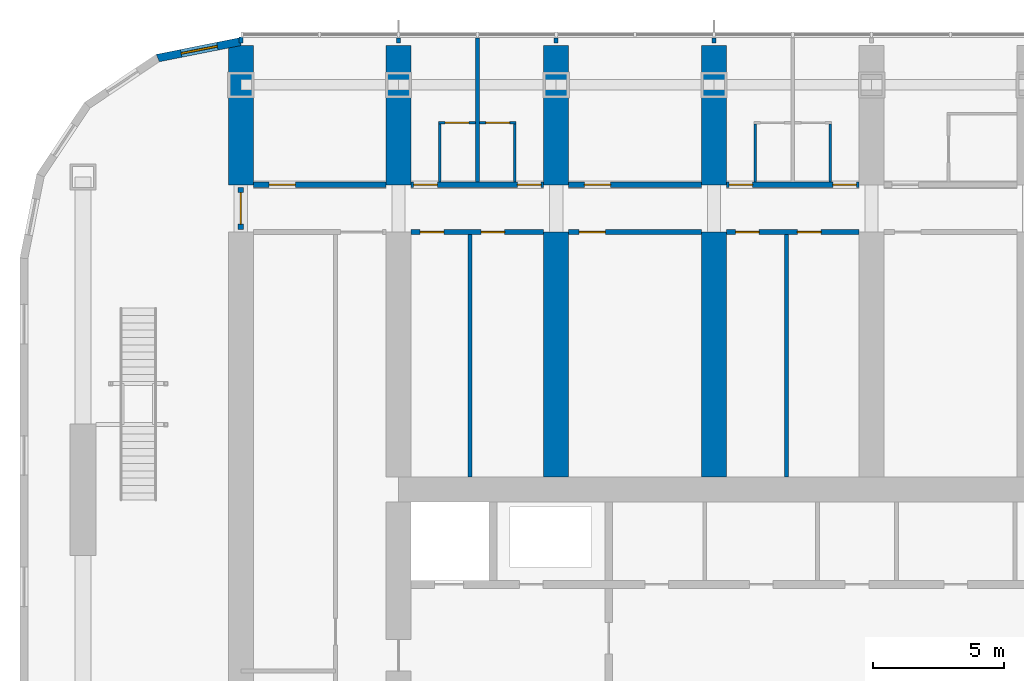
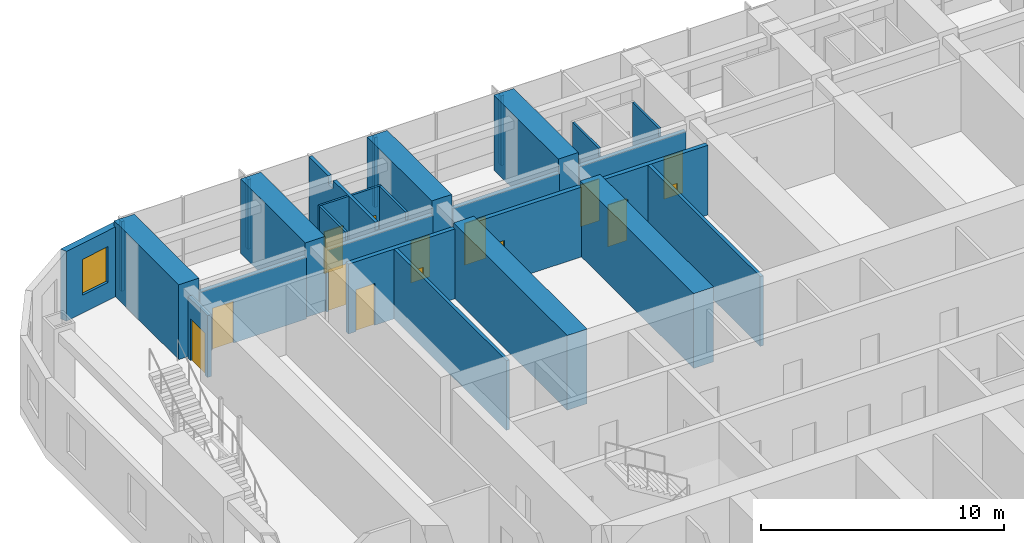
# One storey, part 15 of 25: 28 walls, 14 doors, 1 window, 15 openings.
"""IFC4 building model written with IfcOpenShell, lengths in metres."""

from ifc_helpers import new_model, si_unit, direction, frame, frame_2d, origin, place, context, subcontext, project, spatial, polyline, rectangle, outline, extrude, material, layer, layer_set, type_object, element, fill, save


model = new_model("IFC4")

# Units and contexts
model_context = context("Model", 3, precision=1e-05, world=origin(), true_north=direction((0.0, 1.0)))
body_context = subcontext(model_context, "Body", "Model", "MODEL_VIEW")
ifc_project = project(units=[si_unit("LENGTHUNIT", "METRE"), si_unit("AREAUNIT", "SQUARE_METRE"), si_unit("VOLUMEUNIT", "CUBIC_METRE"), si_unit("PLANEANGLEUNIT", "RADIAN"), si_unit("MASSUNIT", "GRAM", prefix="KILO")], contexts=[model_context])

# Site, building, storey
site_placement = place(None, origin())
site = spatial("IfcSite", under=ifc_project, at=site_placement, CompositionType="ELEMENT")
building_placement = place(site_placement, origin())
building = spatial("IfcBuilding", under=site, at=building_placement, Name="Orbita Commons", CompositionType="ELEMENT")
storey_placement = place(building_placement, frame((0.0, 0.0, 99.39990234375)))
storey = spatial("IfcBuildingStorey", under=building, at=storey_placement, Name="L24", CompositionType="ELEMENT", Elevation=99.39990234375)

# Wall, opening, door
ifc_material_1 = material(Name="Concrete blockwork", Category="masonry")
ifc_layer_1 = layer(ifc_material_1, 0.199951171875)
ifc_layer_set_1 = layer_set([ifc_layer_1], Name="Concrete blockwork")
wall_type_1 = type_object("IfcWallType", Name="Corridor wall 200 blockwork", PredefinedType="SOLIDWALL", material=ifc_layer_set_1)
wall_1_placement = place(storey_placement, frame((12.47509765625, 49.800048828125, 0.0), z_axis=(0.0, 0.0, 1.0), x_axis=(1.0, 0.0, 0.0)))
wall_1 = element("IfcWall", 1, at=wall_1_placement, inside=storey, type_object=wall_type_1, Name="Corridor wall 200 blockwork L24", PredefinedType="SOLIDWALL", context=body_context, shape_type="SweptSolid", body=[
    extrude(outline(polyline([(0.0, 0.0), (5.0498046875, 0.0), (5.050048828125, 3.10009765625), (0.0, 3.10009765625), (0.0, 0.0)])), frame((0.0, 0.10009765625, 0.0), z_axis=(0.0, -1.0, 0.0), x_axis=(1.0, 0.0, 0.0)), (0.0, 0.0, 1.0), 0.199951171875),
])
opening_1_placement = place(wall_1_placement, frame((0.60009765625, 0.0, 0.0)))
opening_1 = element("IfcOpeningElement", 2, at=opening_1_placement, cuts=wall_1, Name="Opening D06", PredefinedType="OPENING", context=body_context, shape_type="SweptSolid", body=[
    extrude(rectangle(XDim=1.0, YDim=2.10009765625, at=frame_2d((0.5, 1.050048828125))), frame((0.0, 0.10986328125, 0.0), z_axis=(0.0, -1.0, 0.0), x_axis=(1.0, 0.0, 0.0)), (0.0, 0.0, 1.0), 0.219970703125),
])
ifc_material_2 = material(Name="Steel-faced fire door leaf", Category="steel")
door_type_1 = type_object("IfcDoorType", Name="Corridor door 20 min 1000x2100", OperationType="SINGLE_SWING_LEFT", PredefinedType="DOOR", material=ifc_material_2)
door_1_placement = place(opening_1_placement, origin())
door_1 = element("IfcDoor", 3, at=door_1_placement, inside=storey, type_object=door_type_1, Name="Sea-view lounge L24-N00 door", OperationType="SINGLE_SWING_LEFT", OverallHeight=2.10009765625, OverallWidth=1.0, PredefinedType="DOOR", context=body_context, shape_type="SweptSolid", body=[
    extrude(rectangle(XDim=1.0, YDim=2.10009765625, at=frame_2d((0.5, 1.050048828125))), frame((0.0, 0.02490234375, 0.0), z_axis=(0.0, -1.0, 0.0), x_axis=(1.0, 0.0, 0.0)), (0.0, 0.0, 1.0), 0.050048828125),
])
fill(opening_1, door_1)

# Wall, openings, doors
wall_2_placement = place(storey_placement, frame((18.47509765625, 49.800048828125, 0.0), z_axis=(0.0, 0.0, 1.0), x_axis=(1.0, 0.0, 0.0)))
wall_2 = element("IfcWall", 4, at=wall_2_placement, inside=storey, type_object=wall_type_1, Name="Corridor wall 200 blockwork L24", PredefinedType="SOLIDWALL", context=body_context, shape_type="SweptSolid", body=[
    extrude(outline(polyline([(0.0, 0.0), (5.0498046875, 0.0), (5.050048828125, 3.10009765625), (0.0, 3.10009765625), (0.0, 0.0)])), frame((0.0, 0.10009765625, 0.0), z_axis=(0.0, -1.0, 0.0), x_axis=(1.0, 0.0, 0.0)), (0.0, 0.0, 1.0), 0.199951171875),
])
opening_2_placement = place(wall_2_placement, frame((0.10009765625, 0.0, 0.0)))
opening_2 = element("IfcOpeningElement", 5, at=opening_2_placement, cuts=wall_2, Name="Opening D11", PredefinedType="OPENING", context=body_context, shape_type="SweptSolid", body=[
    extrude(rectangle(XDim=0.89990234375, YDim=2.10009765625, at=frame_2d((0.449951171875, 1.050048828125))), frame((0.0, 0.10986328125, 0.0), z_axis=(0.0, -1.0, 0.0), x_axis=(1.0, 0.0, 0.0)), (0.0, 0.0, 1.0), 0.219970703125),
])
opening_3_placement = place(wall_2_placement, frame((4.050048828125, 0.0, 0.0)))
opening_3 = element("IfcOpeningElement", 6, at=opening_3_placement, cuts=wall_2, Name="Opening D11", PredefinedType="OPENING", context=body_context, shape_type="SweptSolid", body=[
    extrude(rectangle(XDim=0.89990234375, YDim=2.10009765625, at=frame_2d((0.449951171875, 1.050048828125))), frame((0.0, 0.10986328125, 0.0), z_axis=(0.0, -1.0, 0.0), x_axis=(1.0, 0.0, 0.0)), (0.0, 0.0, 1.0), 0.219970703125),
])
ifc_material_3 = material(Name="Steel-faced fire door leaf", Category="steel")
door_type_2 = type_object("IfcDoorType", Name="Corridor door 20 min 900x2100", OperationType="SINGLE_SWING_LEFT", PredefinedType="DOOR", material=ifc_material_3)
door_2_placement = place(opening_2_placement, origin())
door_2 = element("IfcDoor", 7, at=door_2_placement, inside=storey, type_object=door_type_2, Name="Cluster bedroom L24-N02 door", OperationType="SINGLE_SWING_LEFT", OverallHeight=2.10009765625, OverallWidth=0.89990234375, PredefinedType="DOOR", context=body_context, shape_type="SweptSolid", body=[
    extrude(rectangle(XDim=0.89990234375, YDim=2.10009765625, at=frame_2d((0.449951171875, 1.050048828125))), frame((0.0, 0.02490234375, 0.0), z_axis=(0.0, -1.0, 0.0), x_axis=(1.0, 0.0, 0.0)), (0.0, 0.0, 1.0), 0.050048828125),
])
fill(opening_2, door_2)
door_3_placement = place(opening_3_placement, origin())
door_3 = element("IfcDoor", 8, at=door_3_placement, inside=storey, type_object=door_type_2, Name="Cluster bedroom L24-N03 door", OperationType="SINGLE_SWING_LEFT", OverallHeight=2.10009765625, OverallWidth=0.89990234375, PredefinedType="DOOR", context=body_context, shape_type="SweptSolid", body=[
    extrude(rectangle(XDim=0.89990234375, YDim=2.10009765625, at=frame_2d((0.449951171875, 1.050048828125))), frame((0.0, 0.02490234375, 0.0), z_axis=(0.0, -1.0, 0.0), x_axis=(1.0, 0.0, 0.0)), (0.0, 0.0, 1.0), 0.050048828125),
])
fill(opening_3, door_3)

# Wall, opening, door
wall_3_placement = place(storey_placement, frame((24.47509765625, 49.800048828125, 0.0), z_axis=(0.0, 0.0, 1.0), x_axis=(1.0, 0.0, 0.0)))
wall_3 = element("IfcWall", 9, at=wall_3_placement, inside=storey, type_object=wall_type_1, Name="Corridor wall 200 blockwork L24", PredefinedType="SOLIDWALL", context=body_context, shape_type="SweptSolid", body=[
    extrude(outline(polyline([(0.0, 0.0), (5.0498046875, 0.0), (5.050048828125, 3.10009765625), (0.0, 3.10009765625), (0.0, 0.0)])), frame((0.0, 0.10009765625, 0.0), z_axis=(0.0, -1.0, 0.0), x_axis=(1.0, 0.0, 0.0)), (0.0, 0.0, 1.0), 0.199951171875),
])
opening_4_placement = place(wall_3_placement, frame((0.60009765625, 0.0, 0.0)))
opening_4 = element("IfcOpeningElement", 10, at=opening_4_placement, cuts=wall_3, Name="Opening D06", PredefinedType="OPENING", context=body_context, shape_type="SweptSolid", body=[
    extrude(rectangle(XDim=1.0, YDim=2.10009765625, at=frame_2d((0.5, 1.050048828125))), frame((0.0, 0.10986328125, 0.0), z_axis=(0.0, -1.0, 0.0), x_axis=(1.0, 0.0, 0.0)), (0.0, 0.0, 1.0), 0.219970703125),
])
door_4_placement = place(opening_4_placement, origin())
door_4 = element("IfcDoor", 11, at=door_4_placement, inside=storey, type_object=door_type_1, Name="Sea-view lounge L24-N04 door", OperationType="SINGLE_SWING_LEFT", OverallHeight=2.10009765625, OverallWidth=1.0, PredefinedType="DOOR", context=body_context, shape_type="SweptSolid", body=[
    extrude(rectangle(XDim=1.0, YDim=2.10009765625, at=frame_2d((0.5, 1.050048828125))), frame((0.0, 0.02490234375, 0.0), z_axis=(0.0, -1.0, 0.0), x_axis=(1.0, 0.0, 0.0)), (0.0, 0.0, 1.0), 0.050048828125),
])
fill(opening_4, door_4)

# Wall, openings, doors
wall_4_placement = place(storey_placement, frame((30.47509765625, 49.800048828125, 0.0), z_axis=(0.0, 0.0, 1.0), x_axis=(1.0, 0.0, 0.0)))
wall_4 = element("IfcWall", 12, at=wall_4_placement, inside=storey, type_object=wall_type_1, Name="Corridor wall 200 blockwork L24", PredefinedType="SOLIDWALL", context=body_context, shape_type="SweptSolid", body=[
    extrude(outline(polyline([(0.0, 0.0), (5.0498046875, 0.0), (5.050048828125, 3.10009765625), (0.0, 3.10009765625), (0.0, 0.0)])), frame((0.0, 0.10009765625, 0.0), z_axis=(0.0, -1.0, 0.0), x_axis=(1.0, 0.0, 0.0)), (0.0, 0.0, 1.0), 0.199951171875),
])
opening_5_placement = place(wall_4_placement, frame((0.10009765625, 0.0, 0.0)))
opening_5 = element("IfcOpeningElement", 13, at=opening_5_placement, cuts=wall_4, Name="Opening D11", PredefinedType="OPENING", context=body_context, shape_type="SweptSolid", body=[
    extrude(rectangle(XDim=0.89990234375, YDim=2.10009765625, at=frame_2d((0.449951171875, 1.050048828125))), frame((0.0, 0.10986328125, 0.0), z_axis=(0.0, -1.0, 0.0), x_axis=(1.0, 0.0, 0.0)), (0.0, 0.0, 1.0), 0.219970703125),
])
opening_6_placement = place(wall_4_placement, frame((4.050048828125, 0.0, 0.0)))
opening_6 = element("IfcOpeningElement", 14, at=opening_6_placement, cuts=wall_4, Name="Opening D11", PredefinedType="OPENING", context=body_context, shape_type="SweptSolid", body=[
    extrude(rectangle(XDim=0.89990234375, YDim=2.10009765625, at=frame_2d((0.449951171875, 1.050048828125))), frame((0.0, 0.10986328125, 0.0), z_axis=(0.0, -1.0, 0.0), x_axis=(1.0, 0.0, 0.0)), (0.0, 0.0, 1.0), 0.219970703125),
])
door_5_placement = place(opening_5_placement, origin())
door_5 = element("IfcDoor", 15, at=door_5_placement, inside=storey, type_object=door_type_2, Name="Cluster bedroom L24-N06 door", OperationType="SINGLE_SWING_LEFT", OverallHeight=2.10009765625, OverallWidth=0.89990234375, PredefinedType="DOOR", context=body_context, shape_type="SweptSolid", body=[
    extrude(rectangle(XDim=0.89990234375, YDim=2.10009765625, at=frame_2d((0.449951171875, 1.050048828125))), frame((0.0, 0.02490234375, 0.0), z_axis=(0.0, -1.0, 0.0), x_axis=(1.0, 0.0, 0.0)), (0.0, 0.0, 1.0), 0.050048828125),
])
fill(opening_5, door_5)
door_6_placement = place(opening_6_placement, origin())
door_6 = element("IfcDoor", 16, at=door_6_placement, inside=storey, type_object=door_type_2, Name="Cluster bedroom L24-N07 door", OperationType="SINGLE_SWING_LEFT", OverallHeight=2.10009765625, OverallWidth=0.89990234375, PredefinedType="DOOR", context=body_context, shape_type="SweptSolid", body=[
    extrude(rectangle(XDim=0.89990234375, YDim=2.10009765625, at=frame_2d((0.449951171875, 1.050048828125))), frame((0.0, 0.02490234375, 0.0), z_axis=(0.0, -1.0, 0.0), x_axis=(1.0, 0.0, 0.0)), (0.0, 0.0, 1.0), 0.050048828125),
])
fill(opening_6, door_6)

# Wall, opening, door
wall_5_placement = place(storey_placement, frame((12.0, 48.10009765625, 0.0), z_axis=(0.0, 0.0, 1.0), x_axis=(0.0, 1.0, 0.0)))
wall_5 = element("IfcWall", 17, at=wall_5_placement, inside=storey, type_object=wall_type_1, Name="Corridor wall 200 blockwork L24", PredefinedType="SOLIDWALL", context=body_context, shape_type="SweptSolid", body=[
    extrude(outline(polyline([(0.0, 0.0), (1.599853515625, 0.0), (1.60009765625, 3.10009765625), (0.0, 3.10009765625), (0.0, 0.0)])), frame((0.0, 0.10009765625, 0.0), z_axis=(0.0, -1.0, 0.0), x_axis=(1.0, 0.0, 0.0)), (0.0, 0.0, 1.0), 0.199951171875),
])
opening_7_placement = place(wall_5_placement, frame((0.199951171875, 0.0, 0.0)))
opening_7 = element("IfcOpeningElement", 18, at=opening_7_placement, cuts=wall_5, Name="Opening D12", PredefinedType="OPENING", context=body_context, shape_type="SweptSolid", body=[
    extrude(rectangle(XDim=1.199951171875, YDim=2.10009765625, at=frame_2d((0.60009765625, 1.050048828125))), frame((0.0, 0.10986328125, 0.0), z_axis=(0.0, -1.0, 0.0), x_axis=(1.0, 0.0, 0.0)), (0.0, 0.0, 1.0), 0.219970703125),
])
ifc_material_4 = material(Name="Steel-faced fire door leaf", Category="steel")
door_type_3 = type_object("IfcDoorType", Name="Double corridor door 20 min 1200x2100", OperationType="DOUBLE_DOOR_SINGLE_SWING", PredefinedType="DOOR", material=ifc_material_4)
door_7_placement = place(opening_7_placement, origin())
door_7 = element("IfcDoor", 19, at=door_7_placement, inside=storey, type_object=door_type_3, Name="Lounge doors", OperationType="DOUBLE_DOOR_SINGLE_SWING", OverallHeight=2.10009765625, OverallWidth=1.199951171875, PredefinedType="DOOR", context=body_context, shape_type="SweptSolid", body=[
    extrude(rectangle(XDim=1.199951171875, YDim=2.10009765625, at=frame_2d((0.60009765625, 1.050048828125))), frame((0.0, 0.02490234375, 0.0), z_axis=(0.0, -1.0, 0.0), x_axis=(1.0, 0.0, 0.0)), (0.0, 0.0, 1.0), 0.050048828125),
])
fill(opening_7, door_7)

# Wall, openings, doors
ifc_material_5 = material(Name="Hollow concrete block 200", Category="concrete")
ifc_layer_2 = layer(ifc_material_5, 0.199951171875)
ifc_layer_set_2 = layer_set([ifc_layer_2], Name="Hollow concrete block 200")
wall_type_2 = type_object("IfcWallType", Name="Corridor wall 200 hollow concrete block", PredefinedType="SOLIDWALL", material=ifc_layer_set_2)
wall_6_placement = place(storey_placement, frame((18.47509765625, 48.0, 0.0), z_axis=(0.0, 0.0, 1.0), x_axis=(1.0, 0.0, 0.0)))
wall_6 = element("IfcWall", 20, at=wall_6_placement, inside=storey, type_object=wall_type_2, Name="Corridor wall 200 hollow concrete block L24", PredefinedType="SOLIDWALL", context=body_context, shape_type="SweptSolid", body=[
    extrude(rectangle(XDim=5.0498046875, YDim=0.199951171875, at=frame_2d((2.52490234375, 0.0))), origin(), (0.0, 0.0, 1.0), 3.5),
])
opening_8_placement = place(wall_6_placement, frame((0.35009765625, 0.0, 0.0)))
opening_8 = element("IfcOpeningElement", 21, at=opening_8_placement, cuts=wall_6, Name="Opening D11", PredefinedType="OPENING", context=body_context, shape_type="SweptSolid", body=[
    extrude(rectangle(XDim=0.89990234375, YDim=2.10009765625, at=frame_2d((0.449951171875, 1.050048828125))), frame((0.0, 0.10986328125, 0.0), z_axis=(0.0, -1.0, 0.0), x_axis=(1.0, 0.0, 0.0)), (0.0, 0.0, 1.0), 0.219970703125),
])
opening_9_placement = place(wall_6_placement, frame((2.6650390625, 0.0, 0.0)))
opening_9 = element("IfcOpeningElement", 22, at=opening_9_placement, cuts=wall_6, Name="Opening D11", PredefinedType="OPENING", context=body_context, shape_type="SweptSolid", body=[
    extrude(rectangle(XDim=0.89990234375, YDim=2.10009765625, at=frame_2d((0.449951171875, 1.050048828125))), frame((0.0, 0.10986328125, 0.0), z_axis=(0.0, -1.0, 0.0), x_axis=(1.0, 0.0, 0.0)), (0.0, 0.0, 1.0), 0.219970703125),
])
door_8_placement = place(opening_8_placement, origin())
door_8 = element("IfcDoor", 23, at=door_8_placement, inside=storey, type_object=door_type_2, Name="Riser access cupboard L24-BDN18n door", OperationType="SINGLE_SWING_LEFT", OverallHeight=2.10009765625, OverallWidth=0.89990234375, PredefinedType="DOOR", context=body_context, shape_type="SweptSolid", body=[
    extrude(rectangle(XDim=0.89990234375, YDim=2.10009765625, at=frame_2d((0.449951171875, 1.050048828125))), frame((0.0, 0.02490234375, 0.0), z_axis=(0.0, -1.0, 0.0), x_axis=(1.0, 0.0, 0.0)), (0.0, 0.0, 1.0), 0.050048828125),
])
fill(opening_8, door_8)
door_9_placement = place(opening_9_placement, origin())
door_9 = element("IfcDoor", 24, at=door_9_placement, inside=storey, type_object=door_type_2, Name="Parcel and post room L24-BDN18 door", OperationType="SINGLE_SWING_LEFT", OverallHeight=2.10009765625, OverallWidth=0.89990234375, PredefinedType="DOOR", context=body_context, shape_type="SweptSolid", body=[
    extrude(rectangle(XDim=0.89990234375, YDim=2.10009765625, at=frame_2d((0.449951171875, 1.050048828125))), frame((0.0, 0.02490234375, 0.0), z_axis=(0.0, -1.0, 0.0), x_axis=(1.0, 0.0, 0.0)), (0.0, 0.0, 1.0), 0.050048828125),
])
fill(opening_9, door_9)

# Wall, opening, door
wall_7_placement = place(storey_placement, frame((24.47509765625, 48.0, 0.0), z_axis=(0.0, 0.0, 1.0), x_axis=(1.0, 0.0, 0.0)))
wall_7 = element("IfcWall", 25, at=wall_7_placement, inside=storey, type_object=wall_type_2, Name="Corridor wall 200 hollow concrete block L24", PredefinedType="SOLIDWALL", context=body_context, shape_type="SweptSolid", body=[
    extrude(rectangle(XDim=5.0498046875, YDim=0.199951171875, at=frame_2d((2.52490234375, 0.0))), origin(), (0.0, 0.0, 1.0), 3.5),
])
opening_10_placement = place(wall_7_placement, frame((0.39990234375, 0.0, 0.0)))
opening_10 = element("IfcOpeningElement", 26, at=opening_10_placement, cuts=wall_7, Name="Opening D06", PredefinedType="OPENING", context=body_context, shape_type="SweptSolid", body=[
    extrude(rectangle(XDim=1.0, YDim=2.10009765625, at=frame_2d((0.5, 1.050048828125))), frame((0.0, 0.10986328125, 0.0), z_axis=(0.0, -1.0, 0.0), x_axis=(1.0, 0.0, 0.0)), (0.0, 0.0, 1.0), 0.219970703125),
])
door_10_placement = place(opening_10_placement, origin())
door_10 = element("IfcDoor", 27, at=door_10_placement, inside=storey, type_object=door_type_1, Name="Ventilation plant room south L24-BDN24 door", OperationType="SINGLE_SWING_LEFT", OverallHeight=2.10009765625, OverallWidth=1.0, PredefinedType="DOOR", context=body_context, shape_type="SweptSolid", body=[
    extrude(rectangle(XDim=1.0, YDim=2.10009765625, at=frame_2d((0.5, 1.050048828125))), frame((0.0, 0.02490234375, 0.0), z_axis=(0.0, -1.0, 0.0), x_axis=(1.0, 0.0, 0.0)), (0.0, 0.0, 1.0), 0.050048828125),
])
fill(opening_10, door_10)

# Wall, openings, doors
wall_8_placement = place(storey_placement, frame((30.47509765625, 48.0, 0.0), z_axis=(0.0, 0.0, 1.0), x_axis=(1.0, 0.0, 0.0)))
wall_8 = element("IfcWall", 28, at=wall_8_placement, inside=storey, type_object=wall_type_2, Name="Corridor wall 200 hollow concrete block L24", PredefinedType="SOLIDWALL", context=body_context, shape_type="SweptSolid", body=[
    extrude(rectangle(XDim=5.0498046875, YDim=0.199951171875, at=frame_2d((2.52490234375, 0.0))), origin(), (0.0, 0.0, 1.0), 3.5),
])
opening_11_placement = place(wall_8_placement, frame((0.35009765625, 0.0, 0.0)))
opening_11 = element("IfcOpeningElement", 29, at=opening_11_placement, cuts=wall_8, Name="Opening D11", PredefinedType="OPENING", context=body_context, shape_type="SweptSolid", body=[
    extrude(rectangle(XDim=0.89990234375, YDim=2.10009765625, at=frame_2d((0.449951171875, 1.050048828125))), frame((0.0, 0.10986328125, 0.0), z_axis=(0.0, -1.0, 0.0), x_axis=(1.0, 0.0, 0.0)), (0.0, 0.0, 1.0), 0.219970703125),
])
opening_12_placement = place(wall_8_placement, frame((2.705078125, 0.0, 0.0)))
opening_12 = element("IfcOpeningElement", 30, at=opening_12_placement, cuts=wall_8, Name="Opening D11", PredefinedType="OPENING", context=body_context, shape_type="SweptSolid", body=[
    extrude(rectangle(XDim=0.89990234375, YDim=2.10009765625, at=frame_2d((0.449951171875, 1.050048828125))), frame((0.0, 0.10986328125, 0.0), z_axis=(0.0, -1.0, 0.0), x_axis=(1.0, 0.0, 0.0)), (0.0, 0.0, 1.0), 0.219970703125),
])
door_11_placement = place(opening_11_placement, origin())
door_11 = element("IfcDoor", 31, at=door_11_placement, inside=storey, type_object=door_type_2, Name="Water heater cupboard L24-BDN30n door", OperationType="SINGLE_SWING_LEFT", OverallHeight=2.10009765625, OverallWidth=0.89990234375, PredefinedType="DOOR", context=body_context, shape_type="SweptSolid", body=[
    extrude(rectangle(XDim=0.89990234375, YDim=2.10009765625, at=frame_2d((0.449951171875, 1.050048828125))), frame((0.0, 0.02490234375, 0.0), z_axis=(0.0, -1.0, 0.0), x_axis=(1.0, 0.0, 0.0)), (0.0, 0.0, 1.0), 0.050048828125),
])
fill(opening_11, door_11)
door_12_placement = place(opening_12_placement, origin())
door_12 = element("IfcDoor", 32, at=door_12_placement, inside=storey, type_object=door_type_2, Name="Drying room L24-BDN30 door", OperationType="SINGLE_SWING_LEFT", OverallHeight=2.10009765625, OverallWidth=0.89990234375, PredefinedType="DOOR", context=body_context, shape_type="SweptSolid", body=[
    extrude(rectangle(XDim=0.89990234375, YDim=2.10009765625, at=frame_2d((0.449951171875, 1.050048828125))), frame((0.0, 0.02490234375, 0.0), z_axis=(0.0, -1.0, 0.0), x_axis=(1.0, 0.0, 0.0)), (0.0, 0.0, 1.0), 0.050048828125),
])
fill(opening_12, door_12)

# Walls
ifc_material_6 = material(Name="Concrete C50/60", Category="concrete")
ifc_layer_3 = layer(ifc_material_6, 0.949951171875)
ifc_layer_set_3 = layer_set([ifc_layer_3], Name="Concrete C50/60")
wall_type_3 = type_object("IfcWallType", Name="Cross wall 950 C50/60", PredefinedType="SHEAR", material=ifc_layer_set_3)
for number, where, z_axis, x_axis, name in (
    (33, (12.0, 49.800048828125, 0.0), (0.0, 0.0, 1.0), (0.0, 1.0, 0.0), "Cross wall 3 north outer L24"),
    (34, (18.0, 49.800048828125, 0.0), (0.0, 0.0, 1.0), (0.0, 1.0, 0.0), "Cross wall 4 north outer L24"),
    (35, (24.0, 49.800048828125, 0.0), (0.0, 0.0, 1.0), (0.0, 1.0, 0.0), "Cross wall 5 north outer L24"),
):
    element("IfcWall", number, at=place(storey_placement, frame(where, z_axis=z_axis, x_axis=x_axis)), inside=storey, type_object=wall_type_3, Name=name, PredefinedType="SHEAR", context=body_context, shape_type="SweptSolid", body=[
        extrude(rectangle(XDim=5.300048828125, YDim=0.949951171875, at=frame_2d((2.64990234375, 0.0))), origin(), (0.0, 0.0, 1.0), 3.75),
    ])
wall_9_placement = place(storey_placement, frame((24.0, 38.675048828125, 0.0), z_axis=(0.0, 0.0, 1.0), x_axis=(0.0, 1.0, 0.0)))
element("IfcWall", 36, at=wall_9_placement, inside=storey, type_object=wall_type_3, Name="Cross wall 5 north inner L24", PredefinedType="SHEAR", context=body_context, shape_type="SweptSolid", body=[
    extrude(rectangle(XDim=9.324951171875, YDim=0.949951171875, at=frame_2d((4.66259765625, 0.0))), origin(), (0.0, 0.0, 1.0), 3.75),
])
wall_10_placement = place(storey_placement, frame((30.0, 49.800048828125, 0.0), z_axis=(0.0, 0.0, 1.0), x_axis=(0.0, 1.0, 0.0)))
element("IfcWall", 37, at=wall_10_placement, inside=storey, type_object=wall_type_3, Name="Cross wall 6 north outer L24", PredefinedType="SHEAR", context=body_context, shape_type="SweptSolid", body=[
    extrude(rectangle(XDim=5.300048828125, YDim=0.949951171875, at=frame_2d((2.64990234375, 0.0))), origin(), (0.0, 0.0, 1.0), 3.75),
])
wall_11_placement = place(storey_placement, frame((30.0, 38.675048828125, 0.0), z_axis=(0.0, 0.0, 1.0), x_axis=(0.0, 1.0, 0.0)))
element("IfcWall", 38, at=wall_11_placement, inside=storey, type_object=wall_type_3, Name="Cross wall 6 north inner L24", PredefinedType="SHEAR", context=body_context, shape_type="SweptSolid", body=[
    extrude(rectangle(XDim=9.324951171875, YDim=0.949951171875, at=frame_2d((4.66259765625, 0.0))), origin(), (0.0, 0.0, 1.0), 3.75),
])

# Wall, opening, door
ifc_material_7 = material(Name="Moisture-resistant plasterboard on steel studs", Category="steel")
ifc_layer_4 = layer(ifc_material_7, 0.10009765625)
ifc_layer_set_4 = layer_set([ifc_layer_4], Name="Moisture-resistant plasterboard on steel studs")
wall_type_4 = type_object("IfcWallType", Name="En-suite partition 100", PredefinedType="PARTITIONING", material=ifc_layer_set_4)
wall_12_placement = place(storey_placement, frame((19.52490234375, 52.1591796875, 0.0), z_axis=(0.0, 0.0, 1.0), x_axis=(1.0, 0.0, 0.0)))
wall_12 = element("IfcWall", 39, at=wall_12_placement, inside=storey, type_object=wall_type_4, Name="En-suite partition 100 L24", PredefinedType="PARTITIONING", context=body_context, shape_type="SweptSolid", body=[
    extrude(rectangle(XDim=1.400146484375, YDim=0.10009765625, at=frame_2d((0.7001953125, 0.0))), origin(), (0.0, 0.0, 1.0), 3.5),
])
opening_13_placement = place(wall_12_placement, frame((0.25, 0.0, 0.0)))
opening_13 = element("IfcOpeningElement", 40, at=opening_13_placement, cuts=wall_12, Name="Opening D09", PredefinedType="OPENING", context=body_context, shape_type="SweptSolid", body=[
    extrude(rectangle(XDim=0.89990234375, YDim=2.10009765625, at=frame_2d((0.449951171875, 1.050048828125))), frame((0.0, 0.06005859375, 0.0), z_axis=(0.0, -1.0, 0.0), x_axis=(1.0, 0.0, 0.0)), (0.0, 0.0, 1.0), 0.1201171875),
])
ifc_material_8 = material(Name="Laminated timber door leaf", Category="wood")
door_type_4 = type_object("IfcDoorType", Name="En-suite door 900x2100", OperationType="SINGLE_SWING_RIGHT", PredefinedType="DOOR", material=ifc_material_8)
door_13_placement = place(opening_13_placement, origin())
door_13 = element("IfcDoor", 41, at=door_13_placement, inside=storey, type_object=door_type_4, Name="En-suite L24-N02 door", OperationType="SINGLE_SWING_RIGHT", OverallHeight=2.10009765625, OverallWidth=0.89990234375, PredefinedType="DOOR", context=body_context, shape_type="SweptSolid", body=[
    extrude(rectangle(XDim=0.89990234375, YDim=2.10009765625, at=frame_2d((0.449951171875, 1.050048828125))), frame((0.0, 0.02490234375, 0.0), z_axis=(0.0, -1.0, 0.0), x_axis=(1.0, 0.0, 0.0)), (0.0, 0.0, 1.0), 0.050048828125),
])
fill(opening_13, door_13)

# Wall
wall_13_placement = place(storey_placement, frame((19.574951171875, 52.109375, 0.0), z_axis=(0.0, 0.0, 1.0), x_axis=(0.0, -1.0, 0.0)))
element("IfcWall", 42, at=wall_13_placement, inside=storey, type_object=wall_type_4, Name="En-suite partition 100 L24", PredefinedType="PARTITIONING", context=body_context, shape_type="SweptSolid", body=[
    extrude(outline(polyline([(0.0, 0.0), (2.20947265625, 0.0), (2.209228515625, 3.10009765625), (2.161376953125, 3.10009765625), (2.1591796875, 3.5), (0.0, 3.5), (0.0, 0.0)])), frame((0.0, 0.050048828125, 0.0), z_axis=(0.0, -1.0, 0.0), x_axis=(1.0, 0.0, 0.0)), (0.0, 0.0, 1.0), 0.10009765625),
])

# Wall, opening, door
wall_14_placement = place(storey_placement, frame((21.074951171875, 52.1591796875, 0.0), z_axis=(0.0, 0.0, 1.0), x_axis=(1.0, 0.0, 0.0)))
wall_14 = element("IfcWall", 43, at=wall_14_placement, inside=storey, type_object=wall_type_4, Name="En-suite partition 100 L24", PredefinedType="PARTITIONING", context=body_context, shape_type="SweptSolid", body=[
    extrude(rectangle(XDim=1.400146484375, YDim=0.10009765625, at=frame_2d((0.7001953125, 0.0))), origin(), (0.0, 0.0, 1.0), 3.5),
])
opening_14_placement = place(wall_14_placement, frame((0.25, 0.0, 0.0)))
opening_14 = element("IfcOpeningElement", 44, at=opening_14_placement, cuts=wall_14, Name="Opening D09", PredefinedType="OPENING", context=body_context, shape_type="SweptSolid", body=[
    extrude(rectangle(XDim=0.89990234375, YDim=2.10009765625, at=frame_2d((0.449951171875, 1.050048828125))), frame((0.0, 0.06005859375, 0.0), z_axis=(0.0, -1.0, 0.0), x_axis=(1.0, 0.0, 0.0)), (0.0, 0.0, 1.0), 0.1201171875),
])
door_14_placement = place(opening_14_placement, origin())
door_14 = element("IfcDoor", 45, at=door_14_placement, inside=storey, type_object=door_type_4, Name="En-suite L24-N03 door", OperationType="SINGLE_SWING_RIGHT", OverallHeight=2.10009765625, OverallWidth=0.89990234375, PredefinedType="DOOR", context=body_context, shape_type="SweptSolid", body=[
    extrude(rectangle(XDim=0.89990234375, YDim=2.10009765625, at=frame_2d((0.449951171875, 1.050048828125))), frame((0.0, 0.02490234375, 0.0), z_axis=(0.0, -1.0, 0.0), x_axis=(1.0, 0.0, 0.0)), (0.0, 0.0, 1.0), 0.050048828125),
])
fill(opening_14, door_14)

# Walls
for number, where, z_axis, x_axis, name in (
    (46, (22.425048828125, 52.109375, 0.0), (0.0, 0.0, 1.0), (0.0, -1.0, 0.0), "En-suite partition 100 L24"),
    (47, (31.574951171875, 52.109375, 0.0), (0.0, 0.0, 1.0), (0.0, -1.0, 0.0), "En-suite partition 100 L24"),
    (48, (34.425048828125, 52.109375, 0.0), (0.0, 0.0, 1.0), (0.0, -1.0, 0.0), "En-suite partition 100 L24"),
):
    element("IfcWall", number, at=place(storey_placement, frame(where, z_axis=z_axis, x_axis=x_axis)), inside=storey, type_object=wall_type_4, Name=name, PredefinedType="PARTITIONING", context=body_context, shape_type="SweptSolid", body=[
        extrude(outline(polyline([(0.0, 0.0), (2.20947265625, 0.0), (2.209228515625, 3.10009765625), (2.161376953125, 3.10009765625), (2.1591796875, 3.5), (0.0, 3.5), (0.0, 0.0)])), frame((0.0, 0.050048828125, 0.0), z_axis=(0.0, -1.0, 0.0), x_axis=(1.0, 0.0, 0.0)), (0.0, 0.0, 1.0), 0.10009765625),
    ])
ifc_material_9 = material(Name="Gypsum plasterboard on steel studs", Category="steel")
ifc_layer_5 = layer(ifc_material_9, 0.14990234375)
ifc_layer_set_5 = layer_set([ifc_layer_5], Name="Gypsum plasterboard on steel studs")
wall_type_5 = type_object("IfcWallType", Name="Partition 150 plasterboard", PredefinedType="PARTITIONING", material=ifc_layer_set_5)
for number, where, z_axis, x_axis, name in (
    (49, (20.715087890625, 38.675048828125, 0.0), (0.0, 0.0, 1.0), (0.0, 1.0, 0.0), "Partition 150 plasterboard L24"),
    (50, (32.7548828125, 38.675048828125, 0.0), (0.0, 0.0, 1.0), (0.0, 1.0, 0.0), "Partition 150 plasterboard L24"),
):
    element("IfcWall", number, at=place(storey_placement, frame(where, z_axis=z_axis, x_axis=x_axis)), inside=storey, type_object=wall_type_5, Name=name, PredefinedType="PARTITIONING", context=body_context, shape_type="SweptSolid", body=[
        extrude(rectangle(XDim=9.224853515625, YDim=0.14990234375, at=frame_2d((4.6123046875, 0.0))), origin(), (0.0, 0.0, 1.0), 3.5),
    ])
wall_15_placement = place(storey_placement, frame((12.0, 55.199951171875, 0.0), z_axis=(0.0, 0.0, 1.0), x_axis=(0.0, 1.0, 0.0)))
element("IfcWall", 51, at=wall_15_placement, inside=storey, type_object=wall_type_5, Name="Partition 150 plasterboard L24", PredefinedType="PARTITIONING", context=body_context, shape_type="SweptSolid", body=[
    extrude(rectangle(XDim=0.219970703125, YDim=0.14990234375, at=frame_2d((0.10986328125, 0.0))), origin(), (0.0, 0.0, 1.0), 3.5),
])
for number, where, z_axis, x_axis, name in (
    (52, (18.0, 55.199951171875, 0.0), (0.0, 0.0, 1.0), (0.0, 1.0, 0.0), "Partition 150 plasterboard L24"),
    (53, (24.0, 55.199951171875, 0.0), (0.0, 0.0, 1.0), (0.0, 1.0, 0.0), "Partition 150 plasterboard L24"),
    (54, (30.0, 55.199951171875, 0.0), (0.0, 0.0, 1.0), (0.0, 1.0, 0.0), "Partition 150 plasterboard L24"),
):
    element("IfcWall", number, at=place(storey_placement, frame(where, z_axis=z_axis, x_axis=x_axis)), inside=storey, type_object=wall_type_5, Name=name, PredefinedType="PARTITIONING", context=body_context, shape_type="SweptSolid", body=[
        extrude(rectangle(XDim=0.18994140625, YDim=0.14990234375, at=frame_2d((0.094970703125, 0.0))), origin(), (0.0, 0.0, 1.0), 3.5),
    ])
ifc_material_10 = material(Name="Gypsum plasterboard on steel studs", Category="steel")
ifc_layer_6 = layer(ifc_material_10, 0.14990234375)
ifc_layer_set_6 = layer_set([ifc_layer_6], Name="Gypsum plasterboard on steel studs")
wall_type_6 = type_object("IfcWallType", Name="Party wall 150 plasterboard", PredefinedType="PARTITIONING", material=ifc_layer_set_6)
wall_16_placement = place(storey_placement, frame((21.0, 55.389892578125, 0.0), z_axis=(0.0, 0.0, 1.0), x_axis=(0.0, -1.0, 0.0)))
element("IfcWall", 55, at=wall_16_placement, inside=storey, type_object=wall_type_6, Name="Party wall 150 plasterboard L24", PredefinedType="PARTITIONING", context=body_context, shape_type="SweptSolid", body=[
    extrude(outline(polyline([(0.0, 0.0), (5.489990234375, 0.0), (5.489990234375, 3.10009765625), (5.44189453125, 3.10009765625), (5.43994140625, 3.5), (1.991943359375, 3.5), (1.989990234375, 3.10009765625), (1.592041015625, 3.10009765625), (1.590087890625, 3.5), (0.0, 3.5), (0.0, 0.0)])), frame((0.0, 0.074951171875, 0.0), z_axis=(0.0, -1.0, 0.0), x_axis=(1.0, 0.0, 0.0)), (0.0, 0.0, 1.0), 0.14990234375),
])

# Wall, opening, window
ifc_material_11 = material(Name="Precast concrete C40/50, white board-marked finish", Category="concrete")
ifc_layer_7 = layer(ifc_material_11, 0.300048828125)
ifc_layer_set_7 = layer_set([ifc_layer_7], Name="Precast concrete C40/50, white board-marked finish")
wall_type_7 = type_object("IfcWallType", Name="Precast concrete end shield 300", PredefinedType="SOLIDWALL", material=ifc_layer_set_7)
wall_17_placement = place(storey_placement, frame((12.0, 55.25, 0.0), z_axis=(0.0, 0.0, 1.0), x_axis=(-0.980787251524, -0.195080412259, 0.0)))
wall_17 = element("IfcWall", 56, at=wall_17_placement, inside=storey, type_object=wall_type_7, Name="End shield NW chord 1 L24", PredefinedType="SOLIDWALL", context=body_context, shape_type="SweptSolid", body=[
    extrude(outline(polyline([(-0.02978515625, -0.14990234375), (3.24853515625, -0.14990234375), (3.18896484375, 0.14990234375), (0.02978515625, 0.14990234375), (-0.02978515625, -0.14990234375)])), origin(), (0.0, 0.0, 1.0), 3.5),
])
opening_15_placement = place(wall_17_placement, frame((0.909423828125, 0.0, 0.89990234375)))
opening_15 = element("IfcOpeningElement", 57, at=opening_15_placement, cuts=wall_17, Name="Opening W02", PredefinedType="OPENING", context=body_context, shape_type="SweptSolid", body=[
    extrude(rectangle(XDim=1.39990234375, YDim=1.800048828125, at=frame_2d((0.699951171875, 0.89990234375))), frame((0.0, 0.159912109375, 0.0), z_axis=(0.0, -1.0, 0.0), x_axis=(1.0, 0.0, 0.0)), (0.0, 0.0, 1.0), 0.320068359375),
])
ifc_material_12 = material(Name="Aluminium frame, clear double glazing", Category="aluminium")
window_type = type_object("IfcWindowType", Name="Deep-set window 1400x1800", PartitioningType="SINGLE_PANEL", PredefinedType="WINDOW", material=ifc_material_12)
window_placement = place(opening_15_placement, origin())
window = element("IfcWindow", 58, at=window_placement, inside=storey, type_object=window_type, Name="Window L24-NW0", OverallHeight=1.800048828125, OverallWidth=1.39990234375, PartitioningType="SINGLE_PANEL", PredefinedType="WINDOW", context=body_context, shape_type="SweptSolid", body=[
    extrude(rectangle(XDim=1.39990234375, YDim=1.800048828125, at=frame_2d((0.699951171875, 0.89990234375))), frame((0.0, 0.030029296875, 0.0), z_axis=(0.0, -1.0, 0.0), x_axis=(1.0, 0.0, 0.0)), (0.0, 0.0, 1.0), 0.06005859375),
])
fill(opening_15, window)

save(model, "model.ifc")
